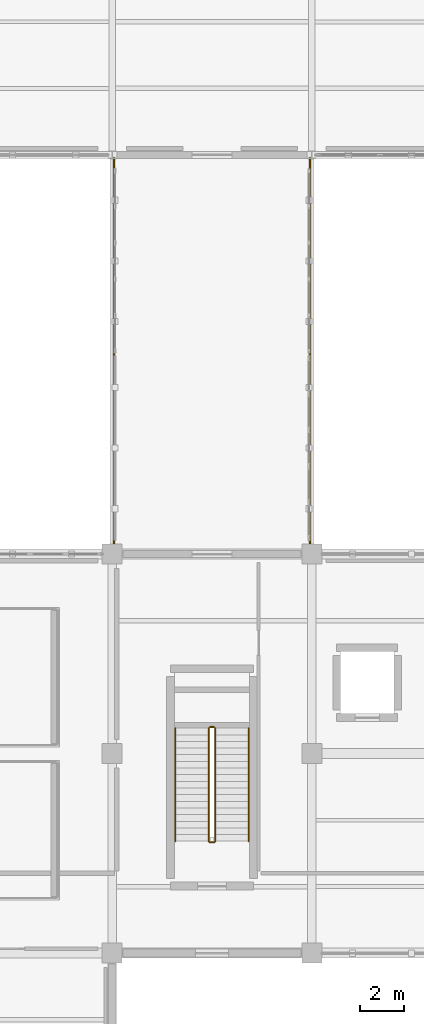
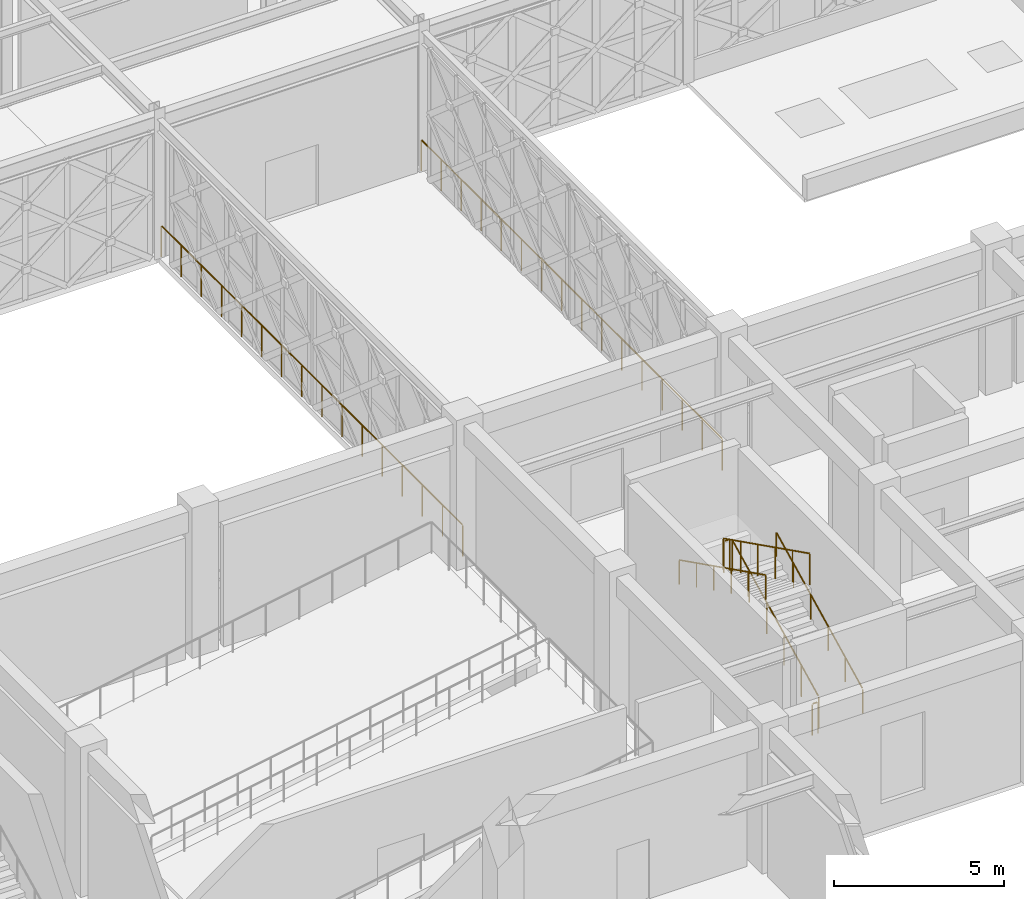
# One storey, part 165 of 166: 8 railings.
"""IFC4 building model written with IfcOpenShell, lengths in metres."""

from ifc_helpers import new_model, si_unit, direction, frame, origin, origin_2d, place, context, subcontext, project, spatial, circle, extrude, material, type_object, element, save


model = new_model("IFC4")

# Units and contexts
model_context = context("Model", 3, precision=1e-05, world=origin(), true_north=direction((0.0, 1.0)))
body_context = subcontext(model_context, "Body", "Model", "MODEL_VIEW")
ifc_project = project(units=[si_unit("LENGTHUNIT", "METRE"), si_unit("AREAUNIT", "SQUARE_METRE"), si_unit("VOLUMEUNIT", "CUBIC_METRE"), si_unit("PLANEANGLEUNIT", "RADIAN"), si_unit("MASSUNIT", "GRAM", prefix="KILO")], contexts=[model_context])

# Site, building, storey
site_placement = place(None, origin())
site = spatial("IfcSite", under=ifc_project, at=site_placement, CompositionType="ELEMENT")
building_placement = place(site_placement, origin())
building = spatial("IfcBuilding", under=site, at=building_placement, Name="Haizhuo Lancet Aquarium", CompositionType="ELEMENT")
storey_placement = place(building_placement, frame((0.0, 0.0, 5.39990234375)))
storey = spatial("IfcBuildingStorey", under=building, at=storey_placement, Name="L01", CompositionType="ELEMENT", Elevation=5.39990234375)

# Railings
ifc_material = material(Name="Steel S355", Category="steel")
railing_type_1 = type_object("IfcRailingType", Name="RL-GRD-1150", PredefinedType="GUARDRAIL", material=ifc_material)
railing_1_placement = place(storey_placement, frame((54.080078125, -8.8798828125, 0.0)))
element("IfcRailing", 1, at=railing_1_placement, inside=storey, type_object=railing_type_1, Name="Sky-bridge floor edge guardrail SB-02 W", PredefinedType="GUARDRAIL", context=body_context, shape_type="SweptSolid", body=[
    extrude(circle(Radius=0.02392578125, at=origin_2d()), frame((0.0, 0.030029296875, 1.1259765625), z_axis=(0.0, 1.0, 0.0), x_axis=(-1.0, 0.0, 0.0)), (0.0, 0.0, 1.0), 17.69970703125),
    extrude(circle(Radius=0.02099609375, at=origin_2d()), origin(), (0.0, 0.0, 1.0), 1.097900390625),
    extrude(circle(Radius=0.02099609375, at=origin_2d()), frame((0.0, 1.18408203125, 0.0)), (0.0, 0.0, 1.0), 1.097900390625),
    extrude(circle(Radius=0.02099609375, at=origin_2d()), frame((0.0, 2.367919921875, 0.0)), (0.0, 0.0, 1.0), 1.097900390625),
    extrude(circle(Radius=0.02099609375, at=origin_2d()), frame((0.0, 3.552001953125, 0.0)), (0.0, 0.0, 1.0), 1.097900390625),
    extrude(circle(Radius=0.02099609375, at=origin_2d()), frame((0.0, 4.73583984375, 0.0)), (0.0, 0.0, 1.0), 1.097900390625),
    extrude(circle(Radius=0.02099609375, at=origin_2d()), frame((0.0, 5.919921875, 0.0)), (0.0, 0.0, 1.0), 1.097900390625),
    extrude(circle(Radius=0.02099609375, at=origin_2d()), frame((0.0, 7.10400390625, 0.0)), (0.0, 0.0, 1.0), 1.097900390625),
    extrude(circle(Radius=0.02099609375, at=origin_2d()), frame((0.0, 8.287841796875, 0.0)), (0.0, 0.0, 1.0), 1.097900390625),
    extrude(circle(Radius=0.02099609375, at=origin_2d()), frame((0.0, 9.471923828125, 0.0)), (0.0, 0.0, 1.0), 1.097900390625),
    extrude(circle(Radius=0.02099609375, at=origin_2d()), frame((0.0, 10.65576171875, 0.0)), (0.0, 0.0, 1.0), 1.097900390625),
    extrude(circle(Radius=0.02099609375, at=origin_2d()), frame((0.0, 11.83984375, 0.0)), (0.0, 0.0, 1.0), 1.097900390625),
    extrude(circle(Radius=0.02099609375, at=origin_2d()), frame((0.0, 13.02392578125, 0.0)), (0.0, 0.0, 1.0), 1.097900390625),
    extrude(circle(Radius=0.02099609375, at=origin_2d()), frame((0.0, 14.207763671875, 0.0)), (0.0, 0.0, 1.0), 1.097900390625),
    extrude(circle(Radius=0.02099609375, at=origin_2d()), frame((0.0, 15.391845703125, 0.0)), (0.0, 0.0, 1.0), 1.097900390625),
    extrude(circle(Radius=0.02099609375, at=origin_2d()), frame((0.0, 16.57568359375, 0.0)), (0.0, 0.0, 1.0), 1.097900390625),
    extrude(circle(Radius=0.02099609375, at=origin_2d()), frame((0.0, 17.759765625, 0.0)), (0.0, 0.0, 1.0), 1.097900390625),
])
railing_2_placement = place(storey_placement, frame((62.919921875, -8.8798828125, 0.0)))
element("IfcRailing", 2, at=railing_2_placement, inside=storey, type_object=railing_type_1, Name="Sky-bridge floor edge guardrail SB-02 E", PredefinedType="GUARDRAIL", context=body_context, shape_type="SweptSolid", body=[
    extrude(circle(Radius=0.02392578125, at=origin_2d()), frame((0.0, 0.030029296875, 1.1259765625), z_axis=(0.0, 1.0, 0.0), x_axis=(-1.0, 0.0, 0.0)), (0.0, 0.0, 1.0), 17.69970703125),
    extrude(circle(Radius=0.02099609375, at=origin_2d()), origin(), (0.0, 0.0, 1.0), 1.097900390625),
    extrude(circle(Radius=0.02099609375, at=origin_2d()), frame((0.0, 1.18408203125, 0.0)), (0.0, 0.0, 1.0), 1.097900390625),
    extrude(circle(Radius=0.02099609375, at=origin_2d()), frame((0.0, 2.367919921875, 0.0)), (0.0, 0.0, 1.0), 1.097900390625),
    extrude(circle(Radius=0.02099609375, at=origin_2d()), frame((0.0, 3.552001953125, 0.0)), (0.0, 0.0, 1.0), 1.097900390625),
    extrude(circle(Radius=0.02099609375, at=origin_2d()), frame((0.0, 4.73583984375, 0.0)), (0.0, 0.0, 1.0), 1.097900390625),
    extrude(circle(Radius=0.02099609375, at=origin_2d()), frame((0.0, 5.919921875, 0.0)), (0.0, 0.0, 1.0), 1.097900390625),
    extrude(circle(Radius=0.02099609375, at=origin_2d()), frame((0.0, 7.10400390625, 0.0)), (0.0, 0.0, 1.0), 1.097900390625),
    extrude(circle(Radius=0.02099609375, at=origin_2d()), frame((0.0, 8.287841796875, 0.0)), (0.0, 0.0, 1.0), 1.097900390625),
    extrude(circle(Radius=0.02099609375, at=origin_2d()), frame((0.0, 9.471923828125, 0.0)), (0.0, 0.0, 1.0), 1.097900390625),
    extrude(circle(Radius=0.02099609375, at=origin_2d()), frame((0.0, 10.65576171875, 0.0)), (0.0, 0.0, 1.0), 1.097900390625),
    extrude(circle(Radius=0.02099609375, at=origin_2d()), frame((0.0, 11.83984375, 0.0)), (0.0, 0.0, 1.0), 1.097900390625),
    extrude(circle(Radius=0.02099609375, at=origin_2d()), frame((0.0, 13.02392578125, 0.0)), (0.0, 0.0, 1.0), 1.097900390625),
    extrude(circle(Radius=0.02099609375, at=origin_2d()), frame((0.0, 14.207763671875, 0.0)), (0.0, 0.0, 1.0), 1.097900390625),
    extrude(circle(Radius=0.02099609375, at=origin_2d()), frame((0.0, 15.391845703125, 0.0)), (0.0, 0.0, 1.0), 1.097900390625),
    extrude(circle(Radius=0.02099609375, at=origin_2d()), frame((0.0, 16.57568359375, 0.0)), (0.0, 0.0, 1.0), 1.097900390625),
    extrude(circle(Radius=0.02099609375, at=origin_2d()), frame((0.0, 17.759765625, 0.0)), (0.0, 0.0, 1.0), 1.097900390625),
])
railing_3_placement = place(storey_placement, frame((58.64990234375, -21.949951171875, 0.150146484375)))
element("IfcRailing", 3, at=railing_3_placement, inside=storey, type_object=railing_type_1, Name="L01 ST-05 stair guard 1", PredefinedType="GUARDRAIL", context=body_context, shape_type="SweptSolid", body=[
    extrude(circle(Radius=0.02392578125, at=origin_2d()), frame((0.0, 0.02685546875, 1.13916015625), z_axis=(0.0, 0.894418627299, 0.447230722492), x_axis=(-1.0, 0.0, 0.0)), (0.0, 0.0, 1.0), 5.641845703125),
    extrude(circle(Radius=0.02099609375, at=origin_2d()), origin(), (0.0, 0.0, 1.0), 1.097900390625),
    extrude(circle(Radius=0.02099609375, at=origin_2d()), frame((0.0, 1.02001953125, 0.510009765625)), (0.0, 0.0, 1.0), 1.097900390625),
    extrude(circle(Radius=0.02099609375, at=origin_2d()), frame((0.0, 2.0400390625, 1.02001953125)), (0.0, 0.0, 1.0), 1.097900390625),
    extrude(circle(Radius=0.02099609375, at=origin_2d()), frame((0.0, 3.059814453125, 1.530029296875)), (0.0, 0.0, 1.0), 1.097900390625),
    extrude(circle(Radius=0.02099609375, at=origin_2d()), frame((0.0, 4.079833984375, 2.0400390625)), (0.0, 0.0, 1.0), 1.097900390625),
    extrude(circle(Radius=0.02099609375, at=origin_2d()), frame((0.0, 5.099853515625, 2.550048828125)), (0.0, 0.0, 1.0), 1.097900390625),
])
railing_4_placement = place(storey_placement, frame((58.60009765625, -16.800048828125, 2.7001953125)))
element("IfcRailing", 4, at=railing_4_placement, inside=storey, type_object=railing_type_1, Name="L01 ST-05 stair guard 2", PredefinedType="GUARDRAIL", context=body_context, shape_type="SweptSolid", body=[
    extrude(circle(Radius=0.02392578125, at=origin_2d()), frame((-0.030029296875, 0.0, 1.1259765625), z_axis=(-1.0, 0.0, 0.0), x_axis=(0.0, -1.0, 0.0)), (0.0, 0.0, 1.0), 0.14013671875),
    extrude(circle(Radius=0.02099609375, at=origin_2d()), origin(), (0.0, 0.0, 1.0), 1.097900390625),
    extrude(circle(Radius=0.02099609375, at=origin_2d()), frame((-0.2001953125, 0.0, 0.0)), (0.0, 0.0, 1.0), 1.097900390625),
])
railing_5_placement = place(storey_placement, frame((58.35009765625, -16.85009765625, 2.85009765625)))
element("IfcRailing", 5, at=railing_5_placement, inside=storey, type_object=railing_type_1, Name="L01 ST-05 stair guard 3", PredefinedType="GUARDRAIL", context=body_context, shape_type="SweptSolid", body=[
    extrude(circle(Radius=0.02392578125, at=origin_2d()), frame((0.0, -0.02685546875, 1.13916015625), z_axis=(0.0, -0.894418627299, 0.447230722492), x_axis=(1.0, 0.0, 0.0)), (0.0, 0.0, 1.0), 5.641845703125),
    extrude(circle(Radius=0.02099609375, at=origin_2d()), origin(), (0.0, 0.0, 1.0), 1.097900390625),
    extrude(circle(Radius=0.02099609375, at=origin_2d()), frame((0.0, -1.02001953125, 0.510009765625)), (0.0, 0.0, 1.0), 1.097900390625),
    extrude(circle(Radius=0.02099609375, at=origin_2d()), frame((0.0, -2.0400390625, 1.02001953125)), (0.0, 0.0, 1.0), 1.097900390625),
    extrude(circle(Radius=0.02099609375, at=origin_2d()), frame((0.0, -3.059814453125, 1.530029296875)), (0.0, 0.0, 1.0), 1.097900390625),
    extrude(circle(Radius=0.02099609375, at=origin_2d()), frame((0.0, -4.079833984375, 2.0400390625)), (0.0, 0.0, 1.0), 1.097900390625),
    extrude(circle(Radius=0.02099609375, at=origin_2d()), frame((0.0, -5.099853515625, 2.550048828125)), (0.0, 0.0, 1.0), 1.097900390625),
])
railing_6_placement = place(storey_placement, frame((58.60009765625, -22.0, 0.0)))
element("IfcRailing", 6, at=railing_6_placement, inside=storey, type_object=railing_type_1, Name="L01 ST-05 stair guard 4", PredefinedType="GUARDRAIL", context=body_context, shape_type="SweptSolid", body=[
    extrude(circle(Radius=0.02392578125, at=origin_2d()), frame((-0.030029296875, 0.0, 1.1259765625), z_axis=(-1.0, 0.0, 0.0), x_axis=(0.0, -1.0, 0.0)), (0.0, 0.0, 1.0), 0.14013671875),
    extrude(circle(Radius=0.02099609375, at=origin_2d()), origin(), (0.0, 0.0, 1.0), 1.097900390625),
    extrude(circle(Radius=0.02099609375, at=origin_2d()), frame((-0.2001953125, 0.0, 0.0)), (0.0, 0.0, 1.0), 1.097900390625),
])
railing_type_2 = type_object("IfcRailingType", Name="RL-HDR-900", PredefinedType="HANDRAIL", material=ifc_material)
railing_7_placement = place(storey_placement, frame((60.14990234375, -21.949951171875, 0.150146484375)))
element("IfcRailing", 7, at=railing_7_placement, inside=storey, type_object=railing_type_2, Name="L01 ST-05 pitch handrail 1", PredefinedType="HANDRAIL", context=body_context, shape_type="SweptSolid", body=[
    extrude(circle(Radius=0.02392578125, at=origin_2d()), frame((0.0, 0.02685546875, 0.88916015625), z_axis=(0.0, 0.894418627299, 0.447230722492), x_axis=(-1.0, 0.0, 0.0)), (0.0, 0.0, 1.0), 5.641845703125),
    extrude(circle(Radius=0.02099609375, at=origin_2d()), origin(), (0.0, 0.0, 1.0), 0.847900390625),
    extrude(circle(Radius=0.02099609375, at=origin_2d()), frame((0.0, 1.02001953125, 0.510009765625)), (0.0, 0.0, 1.0), 0.847900390625),
    extrude(circle(Radius=0.02099609375, at=origin_2d()), frame((0.0, 2.0400390625, 1.02001953125)), (0.0, 0.0, 1.0), 0.847900390625),
    extrude(circle(Radius=0.02099609375, at=origin_2d()), frame((0.0, 3.059814453125, 1.530029296875)), (0.0, 0.0, 1.0), 0.847900390625),
    extrude(circle(Radius=0.02099609375, at=origin_2d()), frame((0.0, 4.079833984375, 2.0400390625)), (0.0, 0.0, 1.0), 0.847900390625),
    extrude(circle(Radius=0.02099609375, at=origin_2d()), frame((0.0, 5.099853515625, 2.550048828125)), (0.0, 0.0, 1.0), 0.847900390625),
])
railing_8_placement = place(storey_placement, frame((56.85009765625, -16.85009765625, 2.85009765625)))
element("IfcRailing", 8, at=railing_8_placement, inside=storey, type_object=railing_type_2, Name="L01 ST-05 pitch handrail 2", PredefinedType="HANDRAIL", context=body_context, shape_type="SweptSolid", body=[
    extrude(circle(Radius=0.02392578125, at=origin_2d()), frame((0.0, -0.02685546875, 0.88916015625), z_axis=(0.0, -0.894418627299, 0.447230722492), x_axis=(1.0, 0.0, 0.0)), (0.0, 0.0, 1.0), 5.641845703125),
    extrude(circle(Radius=0.02099609375, at=origin_2d()), origin(), (0.0, 0.0, 1.0), 0.847900390625),
    extrude(circle(Radius=0.02099609375, at=origin_2d()), frame((0.0, -1.02001953125, 0.510009765625)), (0.0, 0.0, 1.0), 0.847900390625),
    extrude(circle(Radius=0.02099609375, at=origin_2d()), frame((0.0, -2.0400390625, 1.02001953125)), (0.0, 0.0, 1.0), 0.847900390625),
    extrude(circle(Radius=0.02099609375, at=origin_2d()), frame((0.0, -3.059814453125, 1.530029296875)), (0.0, 0.0, 1.0), 0.847900390625),
    extrude(circle(Radius=0.02099609375, at=origin_2d()), frame((0.0, -4.079833984375, 2.0400390625)), (0.0, 0.0, 1.0), 0.847900390625),
    extrude(circle(Radius=0.02099609375, at=origin_2d()), frame((0.0, -5.099853515625, 2.550048828125)), (0.0, 0.0, 1.0), 0.847900390625),
])

save(model, "model.ifc")
